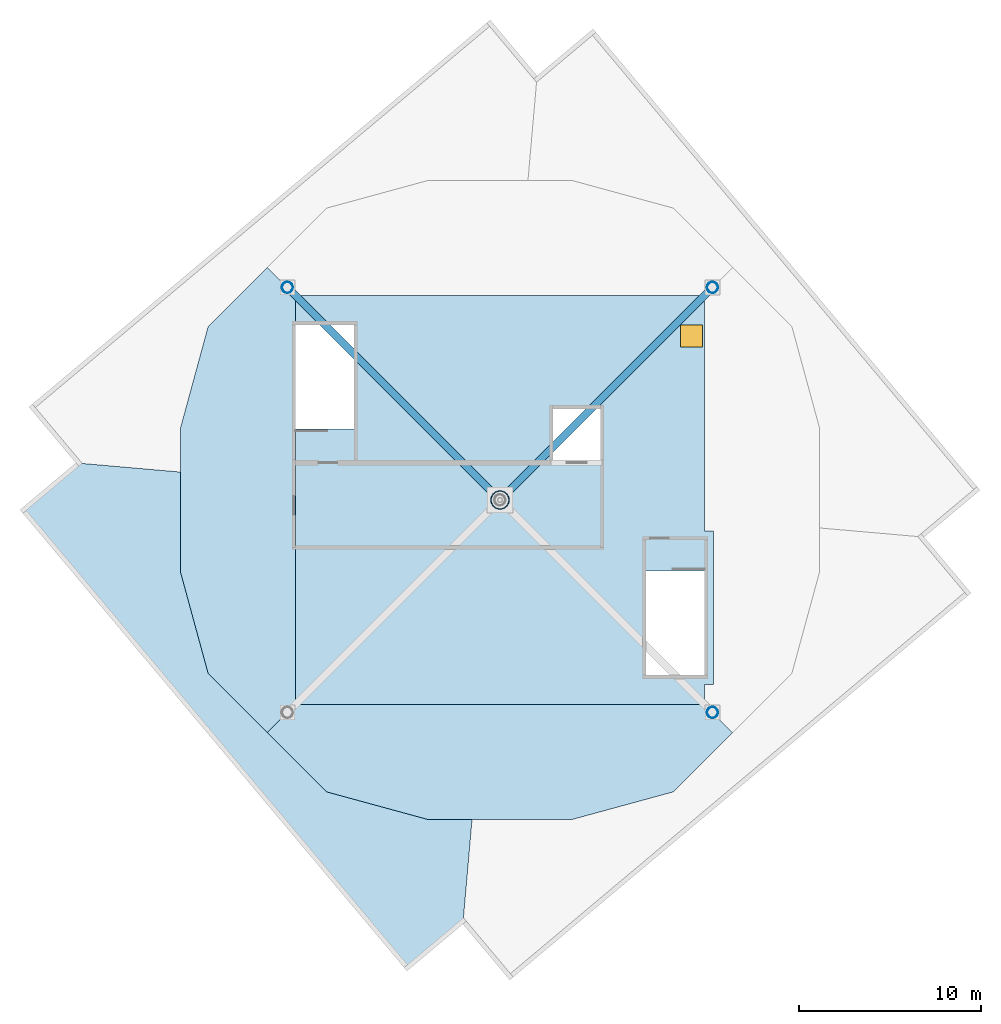
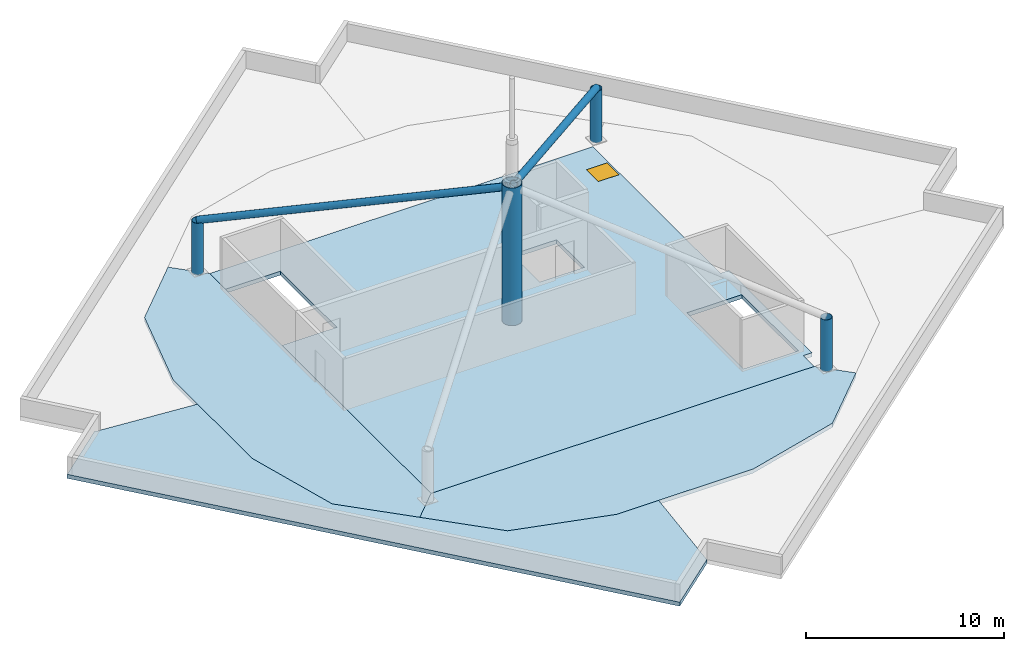
"""IFC4 building model written with IfcOpenShell, lengths in metres."""

import ifcopenshell
import ifcopenshell.guid

model = None  # the IFC model being written
_history = None  # IfcOwnerHistory: only IFC2X3 demands one
_inside = {}  # id of a spatial element -> (the spatial element, [elements in it])
_under = {}  # id of a project, library or spatial element -> (it, [spatial elements below it])
_declared = {}  # id of a project -> (the project, [libraries it declares])
_typed = {}  # id of a type object -> (the type object, [elements of that type])
_made_of = {}  # id of a material, layer set ... -> (it, [elements and type objects made of it])


def new_model(schema):
    """Start an empty IFC model of exactly this schema.

    Asked for "IFC4X3", IfcOpenShell would pick the latest addendum, in which some entities
    have other attributes; the version numbers below select the first issue.
    IFC2X3 requires an IfcOwnerHistory on every rooted entity: one is made here for all.
    """
    global model, _history
    if schema == "IFC4X3":
        model = ifcopenshell.file(schema_version=(4, 3, 0, 0))
    else:
        model = ifcopenshell.file(schema=schema)
    _inside.clear()
    _under.clear()
    _declared.clear()
    _typed.clear()
    _made_of.clear()
    _history = None
    if model.schema == "IFC2X3":
        org = make("IfcOrganization", Name="unknown")
        user = make(
            "IfcPersonAndOrganization",
            ThePerson=make("IfcPerson", FamilyName="unknown"),
            TheOrganization=org,
        )
        app = make(
            "IfcApplication",
            ApplicationDeveloper=org,
            Version="unknown",
            ApplicationFullName="unknown",
            ApplicationIdentifier="unknown",
        )
        _history = make(
            "IfcOwnerHistory",
            OwningUser=user,
            OwningApplication=app,
            ChangeAction="ADDED",
            CreationDate=0,
        )
    return model


def make(cls, **values):
    """One entity of the class cls with the attributes given. An attribute that is None is left unset."""
    return model.create_entity(
        cls, **{name: value for name, value in values.items() if value is not None}
    )


def rooted(cls, **values):
    """An entity with a GlobalId (a new one), such as an element, a storey or a relation."""
    return make(cls, GlobalId=ifcopenshell.guid.new(), OwnerHistory=_history, **values)


def si_unit(unit_type, name, prefix=None):
    """IfcSIUnit, for example si_unit("LENGTHUNIT", "METRE", prefix="MILLI")."""
    return make("IfcSIUnit", UnitType=unit_type, Prefix=prefix, Name=name)


def assignment(units):
    """IfcUnitAssignment: the units of a project."""
    return None if units is None else make("IfcUnitAssignment", Units=units)


def point(xyz):
    """IfcCartesianPoint."""
    return None if xyz is None else make("IfcCartesianPoint", Coordinates=xyz)


def direction(xyz):
    """IfcDirection."""
    return None if xyz is None else make("IfcDirection", DirectionRatios=xyz)


def frame(location, z_axis=None, x_axis=None):
    """IfcAxis2Placement3D, a coordinate frame: its origin and axes. An axis left out is left unset."""
    return make(
        "IfcAxis2Placement3D",
        Location=point(location),
        Axis=direction(z_axis),
        RefDirection=direction(x_axis),
    )


def frame_2d(location, x_axis=None):
    """IfcAxis2Placement2D, a coordinate frame in the plane: its origin and x axis."""
    return make(
        "IfcAxis2Placement2D", Location=point(location), RefDirection=direction(x_axis)
    )


def origin():
    """The frame at (0, 0, 0) with its axes left unset."""
    return frame((0.0, 0.0, 0.0))


def origin_2d():
    """The frame at (0, 0) in the plane with its x axis left unset."""
    return frame_2d((0.0, 0.0))


def place(relative_to, where):
    """IfcLocalPlacement: puts the frame where relative to a parent placement (None: the world)."""
    return make(
        "IfcLocalPlacement", PlacementRelTo=relative_to, RelativePlacement=where
    )


def context(
    kind, dimensions, precision=None, world=None, true_north=None, identifier=None
):
    """IfcGeometricRepresentationContext, for example the 3D "Model" context."""
    return make(
        "IfcGeometricRepresentationContext",
        ContextIdentifier=identifier,
        ContextType=kind,
        CoordinateSpaceDimension=dimensions,
        Precision=precision,
        WorldCoordinateSystem=world,
        TrueNorth=true_north,
    )


def subcontext(parent, identifier, kind, view, scale=None):
    """IfcGeometricRepresentationSubContext, for example "Body" below "Model"."""
    return make(
        "IfcGeometricRepresentationSubContext",
        ContextIdentifier=identifier,
        ContextType=kind,
        ParentContext=parent,
        TargetScale=scale,
        TargetView=view,
    )


def project(units=None, contexts=None):
    """IfcProject with its units and contexts."""
    return rooted(
        "IfcProject",
        Name="project",
        RepresentationContexts=contexts,
        UnitsInContext=assignment(units),
    )


def spatial(cls, under=None, at=None, **own):
    """A site, building, storey or space (cls), placed at a placement, below another one or the project."""
    s = rooted(cls, ObjectPlacement=at, **own)
    if under is not None:
        _under.setdefault(under.id(), (under, []))[1].append(s)
    return s


def polyline(points):
    """IfcPolyline through the points."""
    return make("IfcPolyline", Points=[point(p) for p in points])


def profile(cls, at=None, kind="AREA", **sizes):
    """A parametric profile (cls). Its sizes go by their IFC names, for example OverallWidth=200.0."""
    return make(cls, ProfileType=kind, Position=at, **sizes)


def rectangle(**sizes):
    """IfcRectangleProfileDef."""
    return profile("IfcRectangleProfileDef", **sizes)


def hollow_circle(**sizes):
    """IfcCircleHollowProfileDef."""
    return profile("IfcCircleHollowProfileDef", **sizes)


def outline(outer, holes=None, kind="AREA"):
    """IfcArbitraryClosedProfileDef: a profile drawn as a closed curve; with holes, ...WithVoids."""
    if holes is None:
        return make("IfcArbitraryClosedProfileDef", ProfileType=kind, OuterCurve=outer)
    return make(
        "IfcArbitraryProfileDefWithVoids",
        ProfileType=kind,
        OuterCurve=outer,
        InnerCurves=holes,
    )


def extrude(swept, where, along, depth):
    """IfcExtrudedAreaSolid: the profile swept, set in the frame where, extruded along a direction by depth."""
    return make(
        "IfcExtrudedAreaSolid",
        SweptArea=swept,
        Position=where,
        ExtrudedDirection=direction(along),
        Depth=depth,
    )


def shape(context_of_items, identifier, shape_type, items):
    """IfcShapeRepresentation: the items that make up one representation, for example the "Body"."""
    return make(
        "IfcShapeRepresentation",
        ContextOfItems=context_of_items,
        RepresentationIdentifier=identifier,
        RepresentationType=shape_type,
        Items=items,
    )


def material(Name=None, Category=None):
    """IfcMaterial."""
    return make("IfcMaterial", Name=Name, Category=Category)


def layer(
    of_material, thickness, ventilated=None, Name=None, Category=None, Priority=None
):
    """IfcMaterialLayer: one layer of a wall or slab, of a material (None: an air gap)."""
    return make(
        "IfcMaterialLayer",
        Material=of_material,
        LayerThickness=thickness,
        IsVentilated=ventilated,
        Name=Name,
        Category=Category,
        Priority=Priority,
    )


def layer_set(layers, Name=None):
    """IfcMaterialLayerSet."""
    return make("IfcMaterialLayerSet", MaterialLayers=layers, LayerSetName=Name)


def material_profile(
    of_material, cross_section, Name=None, Category=None, Priority=None
):
    """IfcMaterialProfile: a cross section and its material."""
    return make(
        "IfcMaterialProfile",
        Name=Name,
        Material=of_material,
        Profile=cross_section,
        Priority=Priority,
        Category=Category,
    )


def profile_set(profiles, Name=None, composite=None):
    """IfcMaterialProfileSet."""
    return make(
        "IfcMaterialProfileSet",
        Name=Name,
        MaterialProfiles=profiles,
        CompositeProfile=composite,
    )


def made_of(thing, what):
    """Note that an element or type object is made of a material, layer set ...; save() writes the relation."""
    if what is not None:
        _made_of.setdefault(what.id(), (what, []))[1].append(thing)
    return thing


def type_object(cls, material=None, **own):
    """A type object (cls), such as IfcWallType, which elements share."""
    return made_of(rooted(cls, **own), material)


def element(
    cls,
    number,
    at=None,
    inside=None,
    cuts=None,
    type_object=None,
    material=None,
    context=None,
    identifier="Body",
    shape_type=None,
    held_by="IfcProductDefinitionShape",
    body=None,
    shapes=None,
    **own,
):
    """One element of the class cls, such as IfcWall. Its Tag is "e" and its number.

    at: its placement. inside: the storey or other place that contains it. cuts: it is an
    opening in that element (IfcRelVoidsElement). A single representation is given by context,
    identifier, shape_type and body (its items); several are given by shapes. held_by: the class
    of the entity that holds the representations. save() writes the other relations.
    """
    e = rooted(cls, Tag="e%d" % number, ObjectPlacement=at, **own)
    if body is not None:
        shapes = [shape(context, identifier, shape_type, body)]
    if shapes is not None:
        e.Representation = make(held_by, Representations=shapes)
    if inside is not None:
        _inside.setdefault(inside.id(), (inside, []))[1].append(e)
    if cuts is not None:
        rooted(
            "IfcRelVoidsElement", RelatingBuildingElement=cuts, RelatedOpeningElement=e
        )
    if type_object is not None:
        _typed.setdefault(type_object.id(), (type_object, []))[1].append(e)
    return made_of(e, material)


def fill(opening, filler):
    """IfcRelFillsElement: the door or window that sits in an opening."""
    return rooted(
        "IfcRelFillsElement",
        RelatingOpeningElement=opening,
        RelatedBuildingElement=filler,
    )


def aggregate(whole, parts):
    """IfcRelAggregates: a whole, such as a stair, and the parts it consists of."""
    return rooted("IfcRelAggregates", RelatingObject=whole, RelatedObjects=parts)


def save(model, path):
    """Write the relations noted so far, then the file.

    IfcRelAggregates (storeys below a building ...), IfcRelContainedInSpatialStructure (elements
    in a storey), IfcRelDefinesByType, IfcRelAssociatesMaterial and IfcRelDeclares: one each for
    every whole, place, type object, material and project.
    """
    for whole, parts in _under.values():
        aggregate(whole, parts)
    for where, things in _inside.values():
        rooted(
            "IfcRelContainedInSpatialStructure",
            RelatedElements=things,
            RelatingStructure=where,
        )
    for kind, things in _typed.values():
        rooted("IfcRelDefinesByType", RelatedObjects=things, RelatingType=kind)
    for what, things in _made_of.values():
        rooted("IfcRelAssociatesMaterial", RelatedObjects=things, RelatingMaterial=what)
    for by, libraries in _declared.values():
        rooted("IfcRelDeclares", RelatingContext=by, RelatedDefinitions=libraries)
    model.write(path)


model = new_model("IFC4")

# Units and contexts
model_context = context("Model", 3, precision=1e-05, world=origin(), true_north=direction((0.0, 1.0)))
body_context = subcontext(model_context, "Body", "Model", "MODEL_VIEW")
ifc_project = project(units=[si_unit("LENGTHUNIT", "METRE"), si_unit("AREAUNIT", "SQUARE_METRE"), si_unit("VOLUMEUNIT", "CUBIC_METRE"), si_unit("PLANEANGLEUNIT", "RADIAN"), si_unit("MASSUNIT", "GRAM", prefix="KILO")], contexts=[model_context])

# Site, building, storey
site_placement = place(None, origin())
site = spatial("IfcSite", under=ifc_project, at=site_placement, CompositionType="ELEMENT")
building_placement = place(site_placement, origin())
building = spatial("IfcBuilding", under=site, at=building_placement, Name="Torsade Residences", CompositionType="ELEMENT")
storey_1_placement = place(building_placement, frame((0.0, 0.0, 308.800048828125)))
storey_1 = spatial("IfcBuildingStorey", under=building, at=storey_1_placement, Name="RF", CompositionType="ELEMENT", Elevation=308.800048828125)

# Members
ifc_material_1 = material(Name="Steel grade 450", Category="steel")
ifc_material_profile_1 = material_profile(ifc_material_1, hollow_circle(Radius=0.203125, WallThickness=0.0126953125, at=origin_2d()), Name="406.4x12.7CHS")
ifc_profile_set_1 = profile_set([ifc_material_profile_1], Name="Steel grade 450")
member_type_1 = type_object("IfcMemberType", Name="SPIRE BRACE 406.4x12.7CHS", PredefinedType="BRACE", material=ifc_profile_set_1)
for number, where, z_axis, x_axis, name in (
    (1, (51.64990234375, 41.64990234375, 3.199951171875), (-0.675630625369, -0.675630625369, 0.295036465757), (0.707106781187, -0.707106781187, 0.0), "Spire brace 3"),
    (2, (28.35009765625, 41.64990234375, 3.199951171875), (0.675630625369, -0.675630625369, 0.295036465757), (0.707106781187, 0.707106781187, 0.0), "Spire brace 4"),
):
    element("IfcMember", number, at=place(storey_1_placement, frame(where, z_axis=z_axis, x_axis=x_axis)), inside=storey_1, type_object=member_type_1, Name=name, PredefinedType="BRACE", context=body_context, shape_type="SweptSolid", body=[
        extrude(hollow_circle(Radius=0.203125, WallThickness=0.0126953125, at=origin_2d()), origin(), (0.0, 0.0, 1.0), 16.947021484375),
    ])
ifc_material_2 = material(Name="Steel grade 450", Category="steel")
ifc_material_profile_2 = material_profile(ifc_material_2, hollow_circle(Radius=0.508056640625, WallThickness=0.031982421875, at=origin_2d()), Name="1016.0x32.0CHS")
ifc_profile_set_2 = profile_set([ifc_material_profile_2], Name="Steel grade 450")
member_type_2 = type_object("IfcMemberType", Name="SPIRE MAST 1016.0x32.0CHS", PredefinedType="USERDEFINED", material=ifc_profile_set_2)
member_placement = place(storey_1_placement, frame((40.0, 30.0, 0.0), z_axis=(0.0, 0.0, 1.0), x_axis=(1.0, 0.0, 0.0)))
element("IfcMember", 3, at=member_placement, inside=storey_1, type_object=member_type_2, Name="Spire mast section 1", ObjectType="SPIRE", PredefinedType="USERDEFINED", context=body_context, shape_type="SweptSolid", body=[
    extrude(hollow_circle(Radius=0.508056640625, WallThickness=0.031982421875, at=origin_2d()), origin(), (0.0, 0.0, 1.0), 8.5),
])
ifc_material_3 = material(Name="Steel grade 450", Category="steel")
ifc_material_profile_3 = material_profile(ifc_material_3, hollow_circle(Radius=0.304931640625, WallThickness=0.01611328125, at=origin_2d()), Name="610.0x16.0CHS")
ifc_profile_set_3 = profile_set([ifc_material_profile_3], Name="Steel grade 450")
member_type_3 = type_object("IfcMemberType", Name="SPIRE STANCHION 610.0x16.0CHS", PredefinedType="USERDEFINED", material=ifc_profile_set_3)
for number, where, z_axis, x_axis, name in (
    (4, (51.64990234375, 18.35009765625, 0.0), (0.0, 0.0, 1.0), (1.0, 0.0, 0.0), "Spire stanchion 2"),
    (5, (51.64990234375, 41.64990234375, 0.0), (0.0, 0.0, 1.0), (1.0, 0.0, 0.0), "Spire stanchion 3"),
    (6, (28.35009765625, 41.64990234375, 0.0), (0.0, 0.0, 1.0), (1.0, 0.0, 0.0), "Spire stanchion 4"),
):
    element("IfcMember", number, at=place(storey_1_placement, frame(where, z_axis=z_axis, x_axis=x_axis)), inside=storey_1, type_object=member_type_3, Name=name, ObjectType="SPIRE STANCHION", PredefinedType="USERDEFINED", context=body_context, shape_type="SweptSolid", body=[
        extrude(hollow_circle(Radius=0.304931640625, WallThickness=0.01611328125, at=origin_2d()), origin(), (0.0, 0.0, 1.0), 3.199951171875),
    ])

# Slabs
ifc_material_4 = material(Name="Concrete 40 MPa", Category="concrete")
ifc_layer = layer(ifc_material_4, 0.25)
ifc_layer_set = layer_set([ifc_layer], Name="Concrete 40 MPa")
slab_type = type_object("IfcSlabType", Name="ROOF SLAB 250", PredefinedType="ROOF", material=ifc_layer_set)
slab_1_placement = place(storey_1_placement, frame((0.0, 0.0, -0.25)))
element("IfcSlab", 7, at=slab_1_placement, inside=storey_1, type_object=slab_type, Name="Roof slab west bay", PredefinedType="ROOF", context=body_context, shape_type="SweptSolid", body=[
    extrude(outline(polyline([(34.902099609375, 4.18310546875), (37.96630859375, 6.754150390625), (38.468994140625, 12.5), (36.0, 12.5), (30.5, 14.0), (24.0, 20.5), (22.5, 26.0), (22.5, 31.531005859375), (16.754150390625, 32.03369140625), (13.690185546875, 29.462646484375), (34.902099609375, 4.18310546875)])), origin(), (0.0, 0.0, 1.0), 0.25),
])
slab_2_placement = place(storey_1_placement, frame((0.0, 0.0, -0.25)))
element("IfcSlab", 8, at=slab_2_placement, inside=storey_1, type_object=slab_type, Name="Roof slab inner south bay", PredefinedType="ROOF", context=body_context, shape_type="SweptSolid", body=[
    extrude(outline(polyline([(49.5, 14.0), (52.75, 17.25), (51.199951171875, 18.800048828125), (28.800048828125, 18.800048828125), (27.25, 17.25), (30.5, 14.0), (36.0, 12.5), (44.0, 12.5), (49.5, 14.0)])), origin(), (0.0, 0.0, 1.0), 0.25),
])
slab_3_placement = place(storey_1_placement, frame((0.0, 0.0, -0.25)))
element("IfcSlab", 9, at=slab_3_placement, inside=storey_1, type_object=slab_type, Name="Roof slab inner west bay", PredefinedType="ROOF", context=body_context, shape_type="SweptSolid", body=[
    extrude(outline(polyline([(27.25, 17.25), (28.800048828125, 18.800048828125), (28.800048828125, 41.199951171875), (27.25, 42.75), (24.0, 39.5), (22.5, 34.0), (22.5, 26.0), (24.0, 20.5), (27.25, 17.25)])), origin(), (0.0, 0.0, 1.0), 0.25),
])

# Slab, opening
slab_4_placement = place(storey_1_placement, frame((0.0, 0.0, -0.25)))
slab_4 = element("IfcSlab", 10, at=slab_4_placement, inside=storey_1, type_object=slab_type, Name="Roof slab core", PredefinedType="ROOF", context=body_context, shape_type="SweptSolid", body=[
    extrude(outline(polyline([(51.199951171875, 28.300048828125), (51.199951171875, 41.199951171875), (28.800048828125, 41.199951171875), (28.800048828125, 39.60009765625), (32.0, 39.60009765625), (32.0, 33.8798828125), (28.800048828125, 33.8798828125), (28.800048828125, 18.800048828125), (51.199951171875, 18.800048828125), (51.199951171875, 19.89990234375), (51.699951171875, 19.89990234375), (51.699951171875, 28.300048828125), (51.199951171875, 28.300048828125)]), holes=[polyline([(51.199951171875, 26.1201171875), (48.0, 26.1201171875), (48.0, 20.39990234375), (51.199951171875, 20.39990234375), (51.199951171875, 26.1201171875)]), polyline([(45.5, 32.199951171875), (45.5, 35.0), (42.89990234375, 35.0), (42.89990234375, 32.199951171875), (45.5, 32.199951171875)]), polyline([(49.89990234375, 38.39892578125), (51.10009765625, 38.39892578125), (51.10009765625, 39.59912109375), (49.89990234375, 39.59912109375), (49.89990234375, 38.39892578125)])]), origin(), (0.0, 0.0, 1.0), 0.25),
])
opening_placement = place(slab_4_placement, frame((50.5, 38.9990234375, 0.0)))
opening = element("IfcOpeningElement", 11, at=opening_placement, cuts=slab_4, Name="Opening RH1", PredefinedType="OPENING", context=body_context, shape_type="SweptSolid", body=[
    extrude(rectangle(XDim=1.199951171875, YDim=1.199951171875, at=origin_2d()), origin(), (0.0, 0.0, 1.0), 0.25),
])

# Storey
storey_2_placement = place(building_placement, frame((0.0, 0.0, 304.300048828125)))
storey_2 = spatial("IfcBuildingStorey", under=building, at=storey_2_placement, Name="L84", CompositionType="ELEMENT", Elevation=304.300048828125)

# Window
ifc_material_5 = material(Name="Aluminium hatch", Category="aluminium")
window_type = type_object("IfcWindowType", Name="ROOF ACCESS HATCH 1200", PartitioningType="SINGLE_PANEL", PredefinedType="SKYLIGHT", material=ifc_material_5)
window_placement = place(opening_placement, frame((0.0, 0.0, 0.199951171875)))
window = element("IfcWindow", 12, at=window_placement, inside=storey_2, type_object=window_type, Name="Roof access hatch", OverallHeight=1.199951171875, OverallWidth=1.199951171875, PartitioningType="SINGLE_PANEL", PredefinedType="SKYLIGHT", context=body_context, shape_type="SweptSolid", body=[
    extrude(rectangle(XDim=1.199951171875, YDim=1.199951171875, at=origin_2d()), origin(), (0.0, 0.0, 1.0), 0.050048828125),
])

fill(opening, window)

save(model, "model.ifc")
